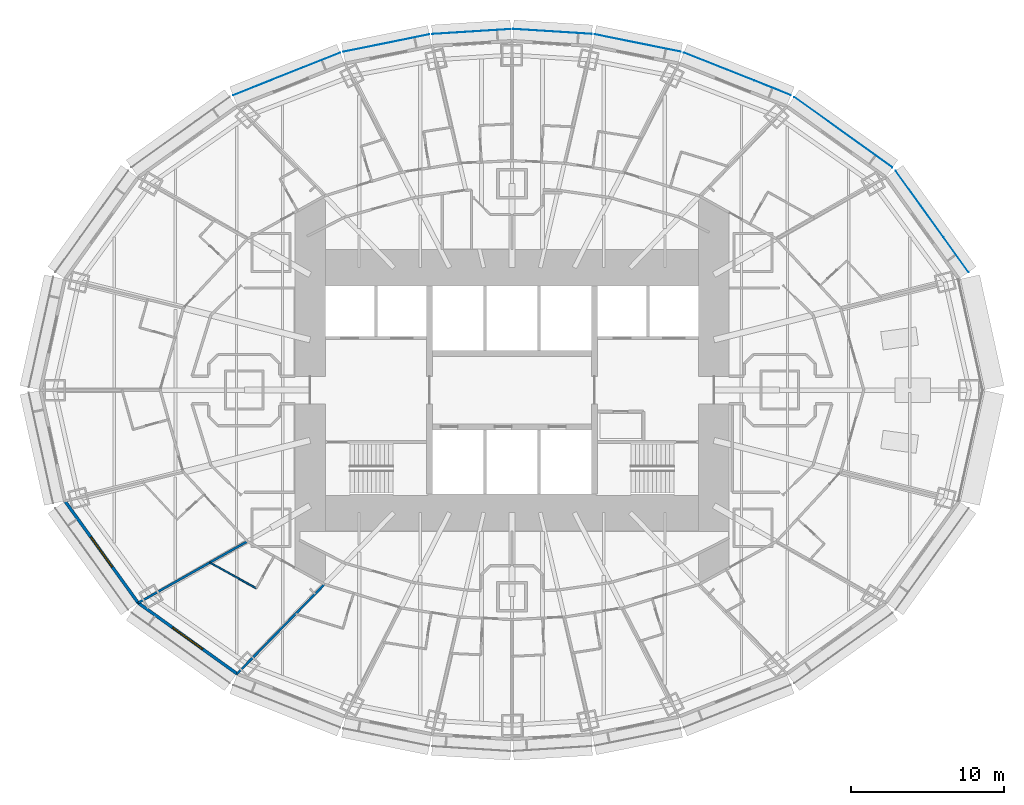
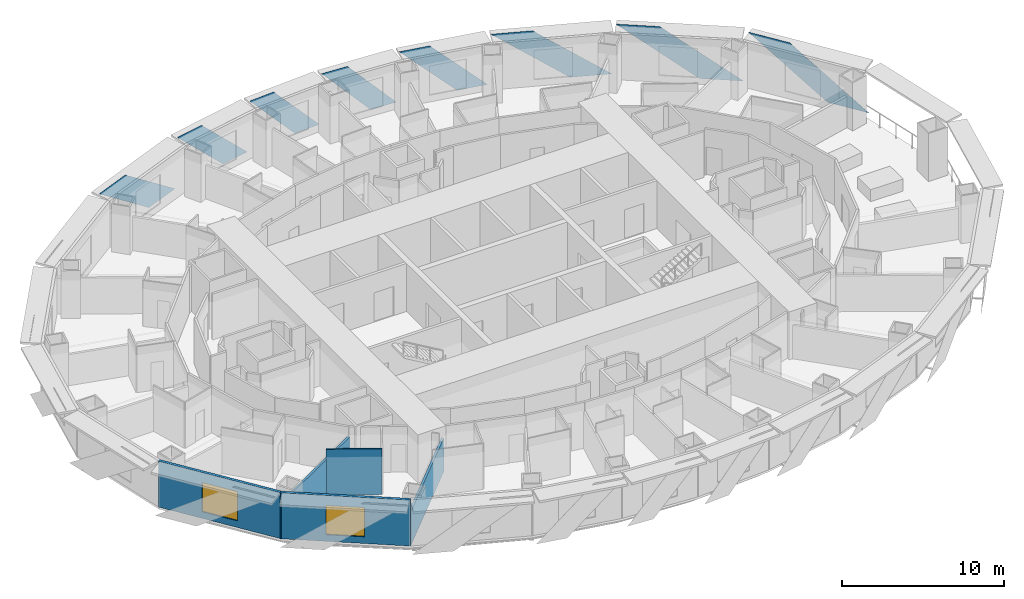
# One storey, part 4 of 17: 8 plates, 5 walls, 2 windows, 2 openings.
"""IFC4 building model written with IfcOpenShell, lengths in metres."""

from ifc_helpers import new_model, si_unit, direction, frame, frame_2d, origin, place, context, subcontext, project, spatial, polyline, rectangle, outline, extrude, material, layer, layer_set, type_object, element, fill, save


model = new_model("IFC4")

# Units and contexts
model_context = context("Model", 3, precision=1e-05, world=origin(), true_north=direction((0.0, 1.0)))
body_context = subcontext(model_context, "Body", "Model", "MODEL_VIEW")
ifc_project = project(units=[si_unit("LENGTHUNIT", "METRE"), si_unit("AREAUNIT", "SQUARE_METRE"), si_unit("VOLUMEUNIT", "CUBIC_METRE"), si_unit("PLANEANGLEUNIT", "RADIAN"), si_unit("MASSUNIT", "GRAM", prefix="KILO")], contexts=[model_context])

# Site, building, storey
site_placement = place(None, origin())
site = spatial("IfcSite", under=ifc_project, at=site_placement, CompositionType="ELEMENT")
building_placement = place(site_placement, origin())
building = spatial("IfcBuilding", under=site, at=building_placement, Name="Lantaw Convention Tower", CompositionType="ELEMENT")
storey_placement = place(building_placement, frame((0.0, 0.0, 69.39990234375)))
storey = spatial("IfcBuildingStorey", under=building, at=storey_placement, Name="L15", CompositionType="ELEMENT", Elevation=69.39990234375)

# Plates
ifc_material_1 = material(Name="Perforated aluminium sheet, pale silver finish", Category="aluminium")
ifc_layer_1 = layer(ifc_material_1, 0.006103515625)
ifc_layer_set_1 = layer_set([ifc_layer_1], Name="Perforated aluminium solar SCREEN panel")
plate_type = type_object("IfcPlateType", Name="Perforated aluminium solar SCREEN panel", PredefinedType="SHEET", material=ifc_layer_set_1)
plate_1_placement = place(storey_placement, frame((29.847900390625, 7.720947265625, -0.1748046875), z_axis=(0.811791382613, 0.583947558463, 9.019268e-06), x_axis=(-0.583947558486, 0.811791382646, 0.0)))
element("IfcPlate", 1, at=plate_1_placement, inside=storey, type_object=plate_type, Name="Solar SCREEN panel", PredefinedType="SHEET", context=body_context, shape_type="SweptSolid", body=[
    extrude(outline(polyline([(0.0, 0.0), (2.809541672291133, 0.0), (8.163093158837512, 3.739990234527119), (5.353551486546379, 3.739990234527119), (0.0, 0.0)])), origin(), (0.0, 0.0, -1.0), 0.006103515625),
])
plate_2_placement = place(storey_placement, frame((24.872314453125, 14.555908203125, -0.1748046875), z_axis=(0.582561421998, 0.812786681331, 1.5819417e-05), x_axis=(-0.812786681433, 0.582561422071, 0.0)))
element("IfcPlate", 2, at=plate_2_placement, inside=storey, type_object=plate_type, Name="Solar SCREEN panel", PredefinedType="SHEET", context=body_context, shape_type="SweptSolid", body=[
    extrude(outline(polyline([(0.0, 0.0), (2.721095180812288, 3.3881317890172014e-21), (7.903118572410756, 3.739990234842974), (5.182023391598468, 3.739990234842974), (0.0, 0.0)])), origin(), (0.0, 0.0, -1.0), 0.006103515625),
])
plate_3_placement = place(storey_placement, frame((18.232177734375, 19.278076171875, -0.1748046875), z_axis=(-0.369183532846, -0.929356508016, 9.163296e-06), x_axis=(-0.929356508055, 0.369183532862, 0.0)))
element("IfcPlate", 3, at=plate_3_placement, inside=storey, type_object=plate_type, Name="Solar SCREEN panel", PredefinedType="SHEET", context=body_context, shape_type="SweptSolid", body=[
    extrude(outline(polyline([(0.0, 0.0), (2.594936467166582, -1.6940658945086007e-21), (7.5321069917580825, -3.739990234532016), (4.937170524591499, -3.739990234532016), (0.0, 0.0)])), origin(), (0.0, 0.0, -1.0), 0.006103515625),
])
plate_4_placement = place(storey_placement, frame((11.03271484375, 22.117919921875, -0.1748046875), z_axis=(-0.197781876197, -0.980246055561, 2.418535e-06), x_axis=(-0.980246055563, 0.197781876198, 1.46e-10)))
element("IfcPlate", 4, at=plate_4_placement, inside=storey, type_object=plate_type, Name="Solar SCREEN panel", PredefinedType="SHEET", context=body_context, shape_type="SweptSolid", body=[
    extrude(outline(polyline([(0.0, 0.0), (1.9867801772236329, -3.1763735522036263e-22), (5.743587245978565, -3.7399902335493134), (3.7568553553458006, -3.739990234128105), (0.0, 0.0)])), origin(), (0.0, 0.0, -1.0), 0.006103515625),
])
plate_5_placement = place(storey_placement, frame((5.221923828125, 23.27783203125, -0.1748046875), z_axis=(-0.062923905251, -0.998018327468, 1.3605496e-05), x_axis=(-0.998018327561, 0.062923905257, 9.3e-10)))
element("IfcPlate", 5, at=plate_5_placement, inside=storey, type_object=plate_type, Name="Solar SCREEN panel", PredefinedType="SHEET", context=body_context, shape_type="SweptSolid", body=[
    extrude(outline(polyline([(0.0, 0.0), (1.7828375409377817, -2.117582368135751e-22), (5.143985963027618, -3.739990229938699), (3.3611637843713935, -3.7399902332537565), (0.0, 0.0)])), origin(), (0.0, 0.0, -1.0), 0.006103515625),
])
plate_6_placement = place(storey_placement, frame((-0.088134765625, 23.6015625, -0.1748046875), z_axis=(-0.062923905251, 0.998018327468, 1.3605496e-05), x_axis=(-0.998018327561, -0.062923905257, -9.3e-10)))
element("IfcPlate", 6, at=plate_6_placement, inside=storey, type_object=plate_type, Name="Solar SCREEN panel", PredefinedType="SHEET", context=body_context, shape_type="SweptSolid", body=[
    extrude(outline(polyline([(0.0, 0.0), (1.782822178656225, -2.117582368135751e-22), (5.143985956073316, 3.7399902395036517), (3.3611484151355353, 3.7399902361885653), (0.0, 0.0)])), origin(), (0.0, 0.0, -1.0), 0.006103515625),
])
plate_7_placement = place(storey_placement, frame((-5.402587890625, 23.25390625, -0.1748046875), z_axis=(-0.197781876197, 0.980246055561, 2.418535e-06), x_axis=(-0.980246055563, -0.197781876198, -1.46e-10)))
element("IfcPlate", 7, at=plate_7_placement, inside=storey, type_object=plate_type, Name="Solar SCREEN panel", PredefinedType="SHEET", context=body_context, shape_type="SweptSolid", body=[
    extrude(outline(polyline([(0.0, 0.0), (1.9867318906327642, 1.0587911840678754e-22), (5.743587244888999, 3.7399902352225842), (3.7568070676653664, 3.7399902346437783), (0.0, 0.0)])), origin(), (0.0, 0.0, -1.0), 0.006103515625),
])
plate_8_placement = place(storey_placement, frame((-11.232177734375, 22.058837890625, -0.1748046875), z_axis=(-0.369183532846, 0.929356508016, 9.163296e-06), x_axis=(-0.929356508055, -0.369183532862, 0.0)))
element("IfcPlate", 8, at=plate_8_placement, inside=storey, type_object=plate_type, Name="Solar SCREEN panel", PredefinedType="SHEET", context=body_context, shape_type="SweptSolid", body=[
    extrude(outline(polyline([(0.0, 0.0), (2.594936467166582, 1.6940658945086007e-21), (7.5321069917580825, 3.739990234532016), (4.937170524591499, 3.739990234532016), (0.0, 0.0)])), origin(), (0.0, 0.0, -1.0), 0.006103515625),
])

# Wall
ifc_material_2 = material(Name="Moisture resistant gypsum board on steel studs", Category="steel")
ifc_layer_2 = layer(ifc_material_2, 0.10009765625)
ifc_layer_set_2 = layer_set([ifc_layer_2], Name="Bathroom wall 100")
wall_type_1 = type_object("IfcWallType", Name="Bathroom wall 100", PredefinedType="PARTITIONING", material=ifc_layer_set_2)
wall_1_placement = place(storey_placement, frame((-16.71923828125, -12.955078125, 0.0), z_axis=(0.0, 0.0, 1.0), x_axis=(-0.873676251648, 0.486507766953, 0.0)))
element("IfcWall", 9, at=wall_1_placement, inside=storey, type_object=wall_type_1, Name="Bathroom wall 100", PredefinedType="PARTITIONING", context=body_context, shape_type="SweptSolid", body=[
    extrude(rectangle(XDim=3.450439453125, YDim=0.10009765625, at=frame_2d((1.72509765625, 0.0))), origin(), (0.0, 0.0, 1.0), 3.4501953125),
])

# Wall, opening, window
ifc_material_3 = material(Name="Insulated aluminium panel on steel frame", Category="steel")
ifc_layer_3 = layer(ifc_material_3, 0.199951171875)
ifc_layer_set_3 = layer_set([ifc_layer_3], Name="External wall 200")
wall_type_2 = type_object("IfcWallType", Name="External wall 200", PredefinedType="SOLIDWALL", material=ifc_layer_set_3)
wall_2_placement = place(storey_placement, frame((-29.260498046875, -7.199951171875, 0.0), z_axis=(0.0, 0.0, 1.0), x_axis=(0.583937613703, -0.811798536155, 0.0)))
wall_2 = element("IfcWall", 10, at=wall_2_placement, inside=storey, type_object=wall_type_2, Name="Facade panel wall", PredefinedType="SOLIDWALL", context=body_context, shape_type="SweptSolid", body=[
    extrude(rectangle(XDim=8.322998046875, YDim=0.199951171875, at=frame_2d((4.16162109375, 0.0))), origin(), (0.0, 0.0, 1.0), 3.4501953125),
])
opening_1_placement = place(wall_2_placement, frame((2.96142578125, 0.0, 0.5)))
opening_1 = element("IfcOpeningElement", 11, at=opening_1_placement, cuts=wall_2, Name="Opening W1", PredefinedType="OPENING", context=body_context, shape_type="SweptSolid", body=[
    extrude(rectangle(XDim=2.39990234375, YDim=2.199951171875, at=frame_2d((1.199951171875, 1.10009765625))), frame((0.0, 0.10986328125, 0.0), z_axis=(0.0, -1.0, 0.0), x_axis=(1.0, 0.0, 0.0)), (0.0, 0.0, 1.0), 0.219970703125),
])
ifc_material_4 = material(Name="Aluminium frame, clear insulating glass", Category="aluminium")
window_type = type_object("IfcWindowType", Name="Guest room window 2400x2200", PartitioningType="SINGLE_PANEL", PredefinedType="WINDOW", material=ifc_material_4)
window_1_placement = place(opening_1_placement, origin())
window_1 = element("IfcWindow", 12, at=window_1_placement, inside=storey, type_object=window_type, Name="Guest room window", OverallHeight=2.199951171875, OverallWidth=2.39990234375, PartitioningType="SINGLE_PANEL", PredefinedType="WINDOW", context=body_context, shape_type="SweptSolid", body=[
    extrude(rectangle(XDim=2.39990234375, YDim=2.199951171875, at=frame_2d((1.199951171875, 1.10009765625))), frame((0.0, 0.030029296875, 0.0), z_axis=(0.0, -1.0, 0.0), x_axis=(1.0, 0.0, 0.0)), (0.0, 0.0, 1.0), 0.06005859375),
])
fill(opening_1, window_1)

wall_3_placement = place(storey_placement, frame((-24.482421875, -13.87451171875, 0.0), z_axis=(0.0, 0.0, 1.0), x_axis=(0.812791321576, -0.582554948112, 0.0)))
wall_3 = element("IfcWall", 13, at=wall_3_placement, inside=storey, type_object=wall_type_2, Name="Facade panel wall", PredefinedType="SOLIDWALL", context=body_context, shape_type="SweptSolid", body=[
    extrude(rectangle(XDim=8.063232421875, YDim=0.199951171875, at=frame_2d((4.03173828125, 0.0))), origin(), (0.0, 0.0, 1.0), 3.4501953125),
])
opening_2_placement = place(wall_3_placement, frame((2.83154296875, 0.0, 0.5)))
opening_2 = element("IfcOpeningElement", 14, at=opening_2_placement, cuts=wall_3, Name="Opening W1", PredefinedType="OPENING", context=body_context, shape_type="SweptSolid", body=[
    extrude(rectangle(XDim=2.39990234375, YDim=2.199951171875, at=frame_2d((1.199951171875, 1.10009765625))), frame((0.0, 0.10986328125, 0.0), z_axis=(0.0, -1.0, 0.0), x_axis=(1.0, 0.0, 0.0)), (0.0, 0.0, 1.0), 0.219970703125),
])
window_2_placement = place(opening_2_placement, origin())
window_2 = element("IfcWindow", 15, at=window_2_placement, inside=storey, type_object=window_type, Name="Guest room window", OverallHeight=2.199951171875, OverallWidth=2.39990234375, PartitioningType="SINGLE_PANEL", PredefinedType="WINDOW", context=body_context, shape_type="SweptSolid", body=[
    extrude(rectangle(XDim=2.39990234375, YDim=2.199951171875, at=frame_2d((1.199951171875, 1.10009765625))), frame((0.0, 0.030029296875, 0.0), z_axis=(0.0, -1.0, 0.0), x_axis=(1.0, 0.0, 0.0)), (0.0, 0.0, 1.0), 0.06005859375),
])
fill(opening_2, window_2)

# Walls
ifc_material_5 = material(Name="Gypsum board on steel studs, acoustic", Category="steel")
ifc_layer_4 = layer(ifc_material_5, 0.14990234375)
ifc_layer_set_4 = layer_set([ifc_layer_4], Name="Guest room party wall 150")
wall_type_3 = type_object("IfcWallType", Name="Guest room party wall 150", PredefinedType="PARTITIONING", material=ifc_layer_set_4)
wall_4_placement = place(storey_placement, frame((-24.434814453125, -13.90869140625, 0.0), z_axis=(0.0, 0.0, 1.0), x_axis=(0.871075246657, 0.491149584813, 0.0)))
element("IfcWall", 16, at=wall_4_placement, inside=storey, type_object=wall_type_3, Name="Guest room party wall 150", PredefinedType="PARTITIONING", context=body_context, shape_type="SweptSolid", body=[
    extrude(rectangle(XDim=8.19189453125, YDim=0.14990234375, at=frame_2d((4.095947265625, 0.0))), origin(), (0.0, 0.0, 1.0), 2.693115234375),
])
wall_5_placement = place(storey_placement, frame((-17.970458984375, -18.541748046875, 0.0), z_axis=(0.0, 0.0, 1.0), x_axis=(0.698757291878, 0.715358823981, 0.0)))
element("IfcWall", 17, at=wall_5_placement, inside=storey, type_object=wall_type_3, Name="Guest room party wall 150", PredefinedType="PARTITIONING", context=body_context, shape_type="SweptSolid", body=[
    extrude(rectangle(XDim=8.176513671875, YDim=0.14990234375, at=frame_2d((4.08837890625, 0.0))), origin(), (0.0, 0.0, 1.0), 2.528076171875),
])

save(model, "model.ifc")
